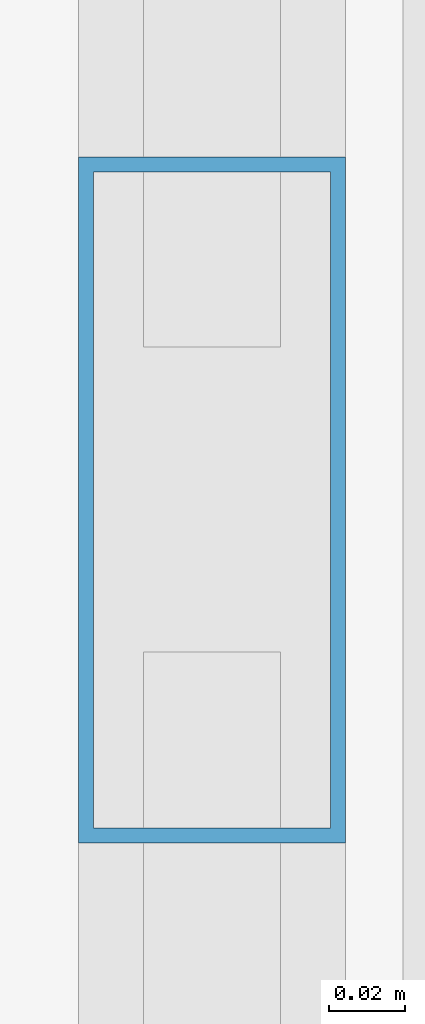
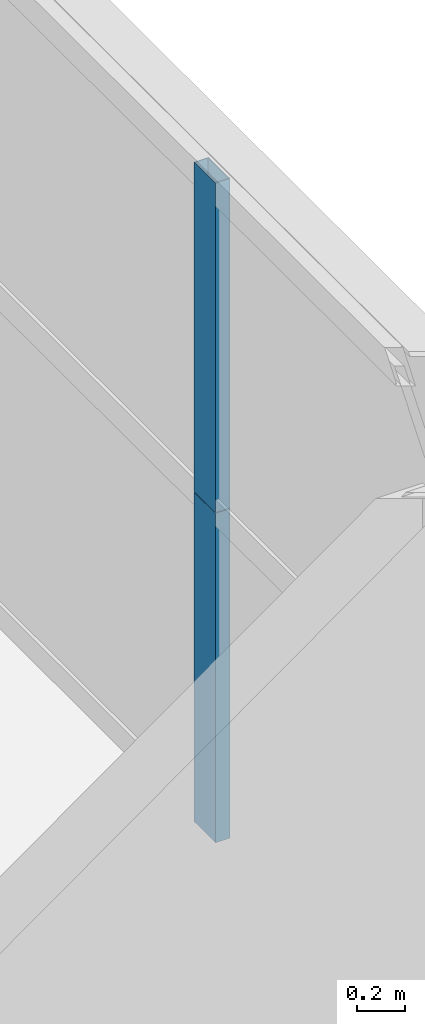
# One storey, part 31 of 43: 2 members, 1 element without a shape of its own.
"""IFC4 building model written with IfcOpenShell, lengths in metres."""

from ifc_helpers import new_model, si_unit, direction, frame, origin, origin_2d, place, context, subcontext, project, spatial, hollow_rectangle, extrude, source, transform, mapped, material, layer, layer_set, material_profile, profile_set, type_object, element, aggregate, save


model = new_model("IFC4")

# Units and contexts
model_context = context("Model", 3, precision=1e-05, world=origin(), true_north=direction((0.0, 1.0)))
body_context = subcontext(model_context, "Body", "Model", "MODEL_VIEW")
ifc_project = project(units=[si_unit("LENGTHUNIT", "METRE"), si_unit("AREAUNIT", "SQUARE_METRE"), si_unit("VOLUMEUNIT", "CUBIC_METRE"), si_unit("PLANEANGLEUNIT", "RADIAN"), si_unit("MASSUNIT", "GRAM", prefix="KILO"), si_unit("THERMODYNAMICTEMPERATUREUNIT", "KELVIN"), si_unit("POWERUNIT", "WATT")], contexts=[model_context])

# Site, building, storey
site_placement = place(None, origin())
site = spatial("IfcSite", under=ifc_project, at=site_placement, CompositionType="ELEMENT")
building_placement = place(site_placement, origin())
building = spatial("IfcBuilding", under=site, at=building_placement, Name="Yuzanri Waterfront Tower", CompositionType="ELEMENT")
storey_placement = place(building_placement, frame((0.0, 0.0, 159.60009765625)))
storey = spatial("IfcBuildingStorey", under=building, at=storey_placement, Name="L42", CompositionType="ELEMENT", Elevation=159.60009765625)

# Curtain wall, members
ifc_material_1 = material(Name="Anodized Architectural Bronze", Category="metal")
ifc_layer = layer(ifc_material_1, 0.159912109375)
ifc_layer_set = layer_set([ifc_layer], Name="Anodized Architectural Bronze")
curtain_wall_type = type_object("IfcCurtainWallType", Name="Anodized Bronze Hotel Upper-Tier Solar-Control Unitized Curtain Wall 7800", PredefinedType="NOTDEFINED", material=ifc_layer_set)
curtain_wall_placement = place(storey_placement, origin())
curtain_wall = element("IfcCurtainWall", 1, at=curtain_wall_placement, inside=storey, type_object=curtain_wall_type, Name="L42 Curtain Wall CW-L42-ER", PredefinedType="NOTDEFINED")
ifc_material_2 = material(Name="Anodized Architectural Bronze", Category="metal")
ifc_material_profile = material_profile(ifc_material_2, hollow_rectangle(XDim=0.070068359375, YDim=0.179931640625, WallThickness=0.00390625, at=origin_2d()), Name="CWM 70x180")
ifc_profile_set = profile_set([ifc_material_profile], Name="Anodized Architectural Bronze")
member_type = type_object("IfcMemberType", Name="Anodized Bronze Standard Curtain-Wall Mullion 70x180", PredefinedType="MULLION", material=ifc_profile_set)
shared_shape = source(origin(), body_context, "Body", "SweptSolid", [
    extrude(hollow_rectangle(XDim=0.070068359375, YDim=0.179931640625, WallThickness=0.00390625, at=origin_2d()), origin(), (0.0, 0.0, 1.0), 1.68798828125),
])
member_1_placement = place(storey_placement, frame((60.449951171875, 34.14990234375, 0.0), z_axis=(0.0, 0.0, 1.0), x_axis=(1.0, 0.0, 0.0)))
member_1 = element("IfcMember", 2, at=member_1_placement, type_object=member_type, Name="CW-L42-ER Lower Mullion 01", PredefinedType="MULLION", context=body_context, shape_type="MappedRepresentation", body=[
    mapped(shared_shape, transform((0.0, 0.0, 0.0), scale=1.0)),
])
member_2_placement = place(storey_placement, frame((60.449951171875, 34.14990234375, 1.69189453125), z_axis=(0.0, 0.0, 1.0), x_axis=(1.0, 0.0, 0.0)))
member_2 = element("IfcMember", 3, at=member_2_placement, type_object=member_type, Name="CW-L42-ER Upper Mullion 01", PredefinedType="MULLION", context=body_context, shape_type="MappedRepresentation", body=[
    mapped(shared_shape, transform((0.0, 0.0, 0.0), scale=1.0)),
])
aggregate(curtain_wall, [member_1, member_2])

save(model, "model.ifc")
